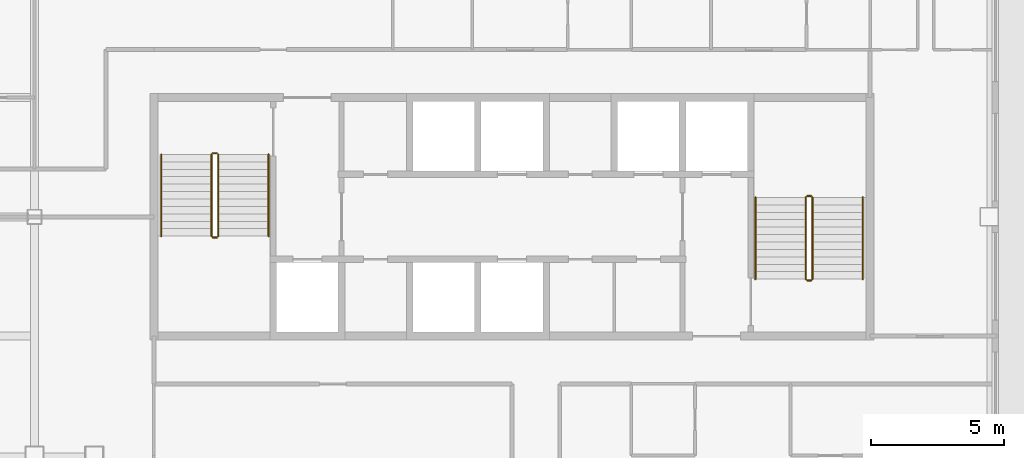
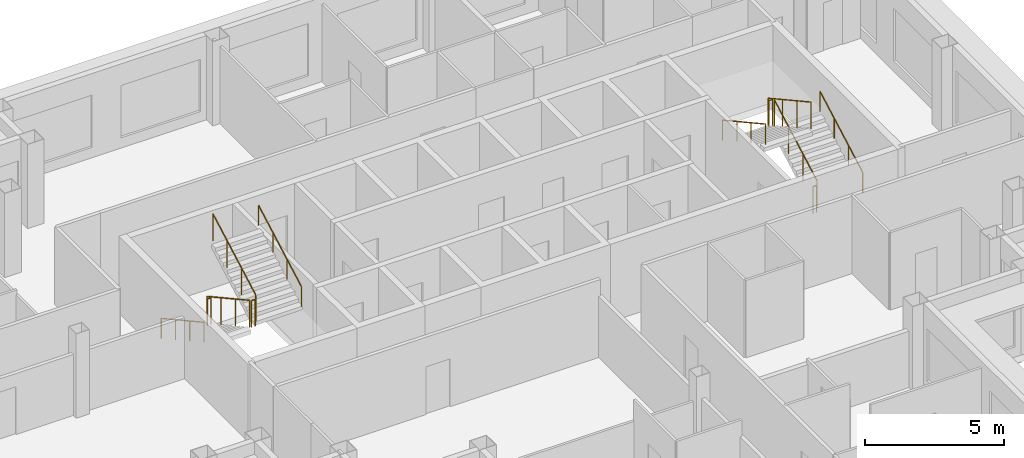
# One storey, part 12 of 12: 12 railings.
"""IFC4 building model written with IfcOpenShell, lengths in metres."""

from ifc_helpers import new_model, si_unit, direction, frame, origin, origin_2d, place, context, subcontext, project, spatial, circle, extrude, material, type_object, element, save


model = new_model("IFC4")

# Units and contexts
model_context = context("Model", 3, precision=1e-05, world=origin(), true_north=direction((0.0, 1.0)))
body_context = subcontext(model_context, "Body", "Model", "MODEL_VIEW")
ifc_project = project(units=[si_unit("LENGTHUNIT", "METRE"), si_unit("AREAUNIT", "SQUARE_METRE"), si_unit("VOLUMEUNIT", "CUBIC_METRE"), si_unit("PLANEANGLEUNIT", "RADIAN"), si_unit("MASSUNIT", "GRAM", prefix="KILO")], contexts=[model_context])

# Site, building, storey
site_placement = place(None, origin())
site = spatial("IfcSite", under=ifc_project, at=site_placement, CompositionType="ELEMENT")
building_placement = place(site_placement, origin())
building = spatial("IfcBuilding", under=site, at=building_placement, Name="Caravel Reach Hotel and Residences", CompositionType="ELEMENT")
storey_placement = place(building_placement, frame((0.0, 0.0, 196.10009765625)))
storey = spatial("IfcBuildingStorey", under=building, at=storey_placement, Name="L49", CompositionType="ELEMENT", Elevation=196.10009765625)

# Railings
ifc_material_1 = material(Name="Steel balustrade with glass infill", Category="steel")
railing_type_1 = type_object("IfcRailingType", Name="Guard 1200", PredefinedType="GUARDRAIL", material=ifc_material_1)
railing_1_placement = place(storey_placement, frame((20.175048828125, 29.35009765625, 0.154052734375)))
element("IfcRailing", 1, at=railing_1_placement, inside=storey, type_object=railing_type_1, Name="L49 ST-A stair guard 1", PredefinedType="GUARDRAIL", context=body_context, shape_type="SweptSolid", body=[
    extrude(circle(Radius=0.02392578125, at=origin_2d()), frame((0.0, 0.0, 1.17578125), z_axis=(0.0, -0.876004717809, 0.482302534076), x_axis=(1.0, 0.0, 0.0)), (0.0, 0.0, 1.0), 3.51611328125),
    extrude(circle(Radius=0.02099609375, at=origin_2d()), origin(), (0.0, 0.0, 1.0), 1.15185546875),
    extrude(circle(Radius=0.02099609375, at=origin_2d()), frame((0.0, -1.026611328125, 0.565185546875)), (0.0, 0.0, 1.0), 1.15185546875),
    extrude(circle(Radius=0.02099609375, at=origin_2d()), frame((0.0, -2.053466796875, 1.130615234375)), (0.0, 0.0, 1.0), 1.15185546875),
    extrude(circle(Radius=0.02099609375, at=origin_2d()), frame((0.0, -3.080078125, 1.69580078125)), (0.0, 0.0, 1.0), 1.15185546875),
])
railing_2_placement = place(storey_placement, frame((20.22509765625, 26.219970703125, 1.849853515625)))
element("IfcRailing", 2, at=railing_2_placement, inside=storey, type_object=railing_type_1, Name="L49 ST-A stair guard 2", PredefinedType="GUARDRAIL", context=body_context, shape_type="SweptSolid", body=[
    extrude(circle(Radius=0.02392578125, at=origin_2d()), frame((0.0, 0.0, 1.17578125), z_axis=(1.0, 0.0, 0.0), x_axis=(0.0, 1.0, 0.0)), (0.0, 0.0, 1.0), 0.14990234375),
    extrude(circle(Radius=0.02099609375, at=origin_2d()), origin(), (0.0, 0.0, 1.0), 1.15185546875),
    extrude(circle(Radius=0.02099609375, at=origin_2d()), frame((0.14990234375, 0.0, 0.0)), (0.0, 0.0, 1.0), 1.15185546875),
])
railing_3_placement = place(storey_placement, frame((20.425048828125, 26.27001953125, 2.004150390625)))
element("IfcRailing", 3, at=railing_3_placement, inside=storey, type_object=railing_type_1, Name="L49 ST-A stair guard 3", PredefinedType="GUARDRAIL", context=body_context, shape_type="SweptSolid", body=[
    extrude(circle(Radius=0.02392578125, at=origin_2d()), frame((0.0, 0.0, 1.17578125), z_axis=(0.0, 0.876004717809, 0.482302534076), x_axis=(-1.0, 0.0, 0.0)), (0.0, 0.0, 1.0), 3.51611328125),
    extrude(circle(Radius=0.02099609375, at=origin_2d()), origin(), (0.0, 0.0, 1.0), 1.15185546875),
    extrude(circle(Radius=0.02099609375, at=origin_2d()), frame((0.0, 1.026611328125, 0.565185546875)), (0.0, 0.0, 1.0), 1.15185546875),
    extrude(circle(Radius=0.02099609375, at=origin_2d()), frame((0.0, 2.053466796875, 1.130615234375)), (0.0, 0.0, 1.0), 1.15185546875),
    extrude(circle(Radius=0.02099609375, at=origin_2d()), frame((0.0, 3.080078125, 1.69580078125)), (0.0, 0.0, 1.0), 1.15185546875),
])
railing_4_placement = place(storey_placement, frame((20.22509765625, 29.39990234375, 0.0)))
element("IfcRailing", 4, at=railing_4_placement, inside=storey, type_object=railing_type_1, Name="L49 ST-A stair guard 4", PredefinedType="GUARDRAIL", context=body_context, shape_type="SweptSolid", body=[
    extrude(circle(Radius=0.02392578125, at=origin_2d()), frame((0.0, 0.0, 1.17578125), z_axis=(1.0, 0.0, 0.0), x_axis=(0.0, 1.0, 0.0)), (0.0, 0.0, 1.0), 0.14990234375),
    extrude(circle(Radius=0.02099609375, at=origin_2d()), origin(), (0.0, 0.0, 1.0), 1.15185546875),
    extrude(circle(Radius=0.02099609375, at=origin_2d()), frame((0.14990234375, 0.0, 0.0)), (0.0, 0.0, 1.0), 1.15185546875),
])
railing_5_placement = place(storey_placement, frame((42.824951171875, 24.64990234375, 0.154052734375)))
element("IfcRailing", 5, at=railing_5_placement, inside=storey, type_object=railing_type_1, Name="L49 ST-B stair guard 1", PredefinedType="GUARDRAIL", context=body_context, shape_type="SweptSolid", body=[
    extrude(circle(Radius=0.02392578125, at=origin_2d()), frame((0.0, 0.0, 1.17578125), z_axis=(0.0, 0.876004717809, 0.482302534076), x_axis=(-1.0, 0.0, 0.0)), (0.0, 0.0, 1.0), 3.51611328125),
    extrude(circle(Radius=0.02099609375, at=origin_2d()), origin(), (0.0, 0.0, 1.0), 1.15185546875),
    extrude(circle(Radius=0.02099609375, at=origin_2d()), frame((0.0, 1.026611328125, 0.565185546875)), (0.0, 0.0, 1.0), 1.15185546875),
    extrude(circle(Radius=0.02099609375, at=origin_2d()), frame((0.0, 2.053466796875, 1.130615234375)), (0.0, 0.0, 1.0), 1.15185546875),
    extrude(circle(Radius=0.02099609375, at=origin_2d()), frame((0.0, 3.080078125, 1.69580078125)), (0.0, 0.0, 1.0), 1.15185546875),
])
railing_6_placement = place(storey_placement, frame((42.77490234375, 27.780029296875, 1.849853515625)))
element("IfcRailing", 6, at=railing_6_placement, inside=storey, type_object=railing_type_1, Name="L49 ST-B stair guard 2", PredefinedType="GUARDRAIL", context=body_context, shape_type="SweptSolid", body=[
    extrude(circle(Radius=0.02392578125, at=origin_2d()), frame((0.0, 0.0, 1.17578125), z_axis=(-1.0, 0.0, 0.0), x_axis=(0.0, -1.0, 0.0)), (0.0, 0.0, 1.0), 0.14990234375),
    extrude(circle(Radius=0.02099609375, at=origin_2d()), origin(), (0.0, 0.0, 1.0), 1.15185546875),
    extrude(circle(Radius=0.02099609375, at=origin_2d()), frame((-0.14990234375, 0.0, 0.0)), (0.0, 0.0, 1.0), 1.15185546875),
])
railing_7_placement = place(storey_placement, frame((42.574951171875, 27.72998046875, 2.004150390625)))
element("IfcRailing", 7, at=railing_7_placement, inside=storey, type_object=railing_type_1, Name="L49 ST-B stair guard 3", PredefinedType="GUARDRAIL", context=body_context, shape_type="SweptSolid", body=[
    extrude(circle(Radius=0.02392578125, at=origin_2d()), frame((0.0, 0.0, 1.17578125), z_axis=(0.0, -0.876004717809, 0.482302534076), x_axis=(1.0, 0.0, 0.0)), (0.0, 0.0, 1.0), 3.51611328125),
    extrude(circle(Radius=0.02099609375, at=origin_2d()), origin(), (0.0, 0.0, 1.0), 1.15185546875),
    extrude(circle(Radius=0.02099609375, at=origin_2d()), frame((0.0, -1.026611328125, 0.565185546875)), (0.0, 0.0, 1.0), 1.15185546875),
    extrude(circle(Radius=0.02099609375, at=origin_2d()), frame((0.0, -2.053466796875, 1.130615234375)), (0.0, 0.0, 1.0), 1.15185546875),
    extrude(circle(Radius=0.02099609375, at=origin_2d()), frame((0.0, -3.080078125, 1.69580078125)), (0.0, 0.0, 1.0), 1.15185546875),
])
railing_8_placement = place(storey_placement, frame((42.77490234375, 24.60009765625, 0.0)))
element("IfcRailing", 8, at=railing_8_placement, inside=storey, type_object=railing_type_1, Name="L49 ST-B stair guard 4", PredefinedType="GUARDRAIL", context=body_context, shape_type="SweptSolid", body=[
    extrude(circle(Radius=0.02392578125, at=origin_2d()), frame((0.0, 0.0, 1.17578125), z_axis=(-1.0, 0.0, 0.0), x_axis=(0.0, -1.0, 0.0)), (0.0, 0.0, 1.0), 0.14990234375),
    extrude(circle(Radius=0.02099609375, at=origin_2d()), origin(), (0.0, 0.0, 1.0), 1.15185546875),
    extrude(circle(Radius=0.02099609375, at=origin_2d()), frame((-0.14990234375, 0.0, 0.0)), (0.0, 0.0, 1.0), 1.15185546875),
])
ifc_material_2 = material(Name="Stainless steel handrail", Category="steel")
railing_type_2 = type_object("IfcRailingType", Name="Handrail 900", PredefinedType="HANDRAIL", material=ifc_material_2)
railing_9_placement = place(storey_placement, frame((18.27490234375, 29.35009765625, 0.154052734375)))
element("IfcRailing", 9, at=railing_9_placement, inside=storey, type_object=railing_type_2, Name="L49 ST-A stair handrail 1", PredefinedType="HANDRAIL", context=body_context, shape_type="SweptSolid", body=[
    extrude(circle(Radius=0.02392578125, at=origin_2d()), frame((0.0, 0.0, 0.8759765625), z_axis=(0.0, -0.876004717809, 0.482302534076), x_axis=(1.0, 0.0, 0.0)), (0.0, 0.0, 1.0), 3.51611328125),
    extrude(circle(Radius=0.02099609375, at=origin_2d()), origin(), (0.0, 0.0, 1.0), 0.851806640625),
    extrude(circle(Radius=0.02099609375, at=origin_2d()), frame((0.0, -1.026611328125, 0.565185546875)), (0.0, 0.0, 1.0), 0.851806640625),
    extrude(circle(Radius=0.02099609375, at=origin_2d()), frame((0.0, -2.053466796875, 1.130615234375)), (0.0, 0.0, 1.0), 0.851806640625),
    extrude(circle(Radius=0.02099609375, at=origin_2d()), frame((0.0, -3.080078125, 1.69580078125)), (0.0, 0.0, 1.0), 0.851806640625),
])
for number, where, name in (
    (10, (22.324951171875, 26.27001953125, 2.004150390625), "L49 ST-A stair handrail 2"),
    (11, (44.72509765625, 24.64990234375, 0.154052734375), "L49 ST-B stair handrail 1"),
):
    element("IfcRailing", number, at=place(storey_placement, frame(where)), inside=storey, type_object=railing_type_2, Name=name, PredefinedType="HANDRAIL", context=body_context, shape_type="SweptSolid", body=[
        extrude(circle(Radius=0.02392578125, at=origin_2d()), frame((0.0, 0.0, 0.8759765625), z_axis=(0.0, 0.876004717809, 0.482302534076), x_axis=(-1.0, 0.0, 0.0)), (0.0, 0.0, 1.0), 3.51611328125),
        extrude(circle(Radius=0.02099609375, at=origin_2d()), origin(), (0.0, 0.0, 1.0), 0.851806640625),
        extrude(circle(Radius=0.02099609375, at=origin_2d()), frame((0.0, 1.026611328125, 0.565185546875)), (0.0, 0.0, 1.0), 0.851806640625),
        extrude(circle(Radius=0.02099609375, at=origin_2d()), frame((0.0, 2.053466796875, 1.130615234375)), (0.0, 0.0, 1.0), 0.851806640625),
        extrude(circle(Radius=0.02099609375, at=origin_2d()), frame((0.0, 3.080078125, 1.69580078125)), (0.0, 0.0, 1.0), 0.851806640625),
    ])
railing_10_placement = place(storey_placement, frame((40.675048828125, 27.72998046875, 2.004150390625)))
element("IfcRailing", 12, at=railing_10_placement, inside=storey, type_object=railing_type_2, Name="L49 ST-B stair handrail 2", PredefinedType="HANDRAIL", context=body_context, shape_type="SweptSolid", body=[
    extrude(circle(Radius=0.02392578125, at=origin_2d()), frame((0.0, 0.0, 0.8759765625), z_axis=(0.0, -0.876004717809, 0.482302534076), x_axis=(1.0, 0.0, 0.0)), (0.0, 0.0, 1.0), 3.51611328125),
    extrude(circle(Radius=0.02099609375, at=origin_2d()), origin(), (0.0, 0.0, 1.0), 0.851806640625),
    extrude(circle(Radius=0.02099609375, at=origin_2d()), frame((0.0, -1.026611328125, 0.565185546875)), (0.0, 0.0, 1.0), 0.851806640625),
    extrude(circle(Radius=0.02099609375, at=origin_2d()), frame((0.0, -2.053466796875, 1.130615234375)), (0.0, 0.0, 1.0), 0.851806640625),
    extrude(circle(Radius=0.02099609375, at=origin_2d()), frame((0.0, -3.080078125, 1.69580078125)), (0.0, 0.0, 1.0), 0.851806640625),
])

save(model, "model.ifc")
